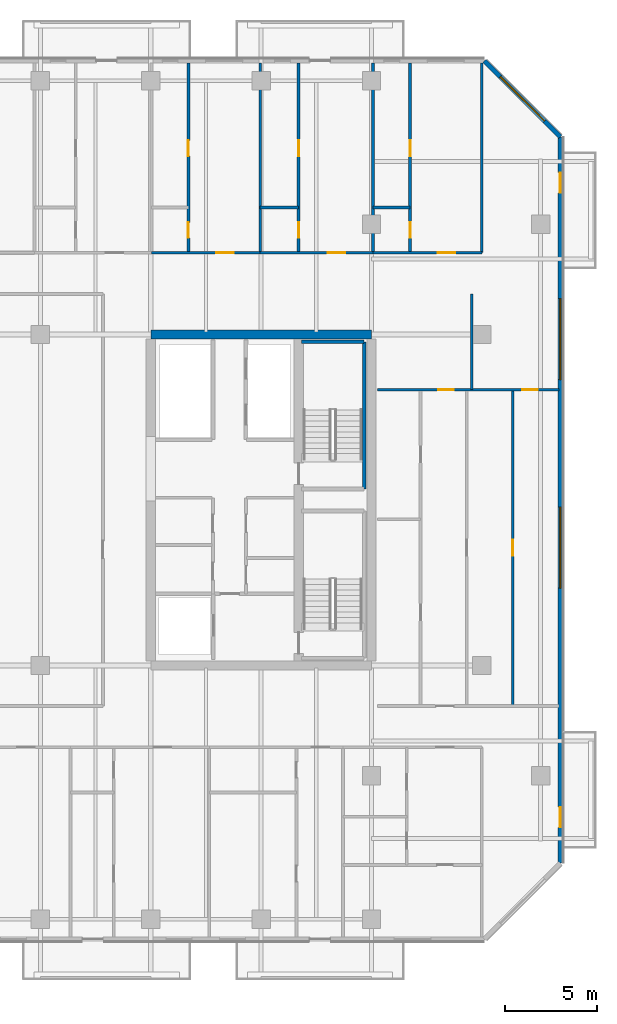
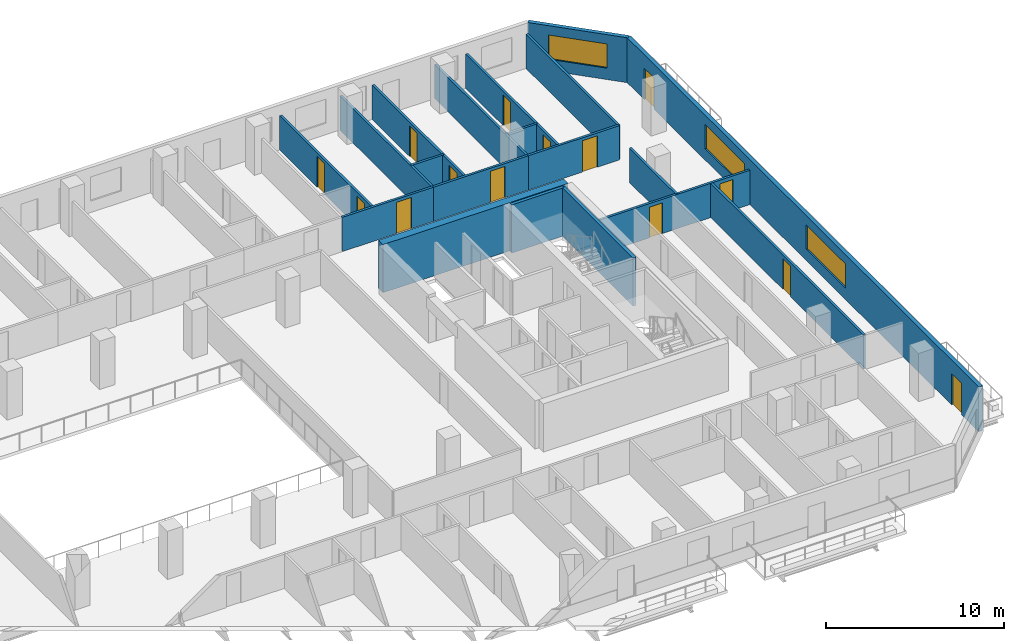
# One storey, part 16 of 23: 19 walls, 14 doors, 3 windows, 17 openings.
"""IFC4 building model written with IfcOpenShell, lengths in metres."""

import ifcopenshell
import ifcopenshell.guid

model = None  # the IFC model being written
_history = None  # IfcOwnerHistory: only IFC2X3 demands one
_inside = {}  # id of a spatial element -> (the spatial element, [elements in it])
_under = {}  # id of a project, library or spatial element -> (it, [spatial elements below it])
_declared = {}  # id of a project -> (the project, [libraries it declares])
_typed = {}  # id of a type object -> (the type object, [elements of that type])
_made_of = {}  # id of a material, layer set ... -> (it, [elements and type objects made of it])


def new_model(schema):
    """Start an empty IFC model of exactly this schema.

    Asked for "IFC4X3", IfcOpenShell would pick the latest addendum, in which some entities
    have other attributes; the version numbers below select the first issue.
    IFC2X3 requires an IfcOwnerHistory on every rooted entity: one is made here for all.
    """
    global model, _history
    if schema == "IFC4X3":
        model = ifcopenshell.file(schema_version=(4, 3, 0, 0))
    else:
        model = ifcopenshell.file(schema=schema)
    _inside.clear()
    _under.clear()
    _declared.clear()
    _typed.clear()
    _made_of.clear()
    _history = None
    if model.schema == "IFC2X3":
        org = make("IfcOrganization", Name="unknown")
        user = make(
            "IfcPersonAndOrganization",
            ThePerson=make("IfcPerson", FamilyName="unknown"),
            TheOrganization=org,
        )
        app = make(
            "IfcApplication",
            ApplicationDeveloper=org,
            Version="unknown",
            ApplicationFullName="unknown",
            ApplicationIdentifier="unknown",
        )
        _history = make(
            "IfcOwnerHistory",
            OwningUser=user,
            OwningApplication=app,
            ChangeAction="ADDED",
            CreationDate=0,
        )
    return model


def make(cls, **values):
    """One entity of the class cls with the attributes given. An attribute that is None is left unset."""
    return model.create_entity(
        cls, **{name: value for name, value in values.items() if value is not None}
    )


def rooted(cls, **values):
    """An entity with a GlobalId (a new one), such as an element, a storey or a relation."""
    return make(cls, GlobalId=ifcopenshell.guid.new(), OwnerHistory=_history, **values)


def si_unit(unit_type, name, prefix=None):
    """IfcSIUnit, for example si_unit("LENGTHUNIT", "METRE", prefix="MILLI")."""
    return make("IfcSIUnit", UnitType=unit_type, Prefix=prefix, Name=name)


def assignment(units):
    """IfcUnitAssignment: the units of a project."""
    return None if units is None else make("IfcUnitAssignment", Units=units)


def point(xyz):
    """IfcCartesianPoint."""
    return None if xyz is None else make("IfcCartesianPoint", Coordinates=xyz)


def direction(xyz):
    """IfcDirection."""
    return None if xyz is None else make("IfcDirection", DirectionRatios=xyz)


def frame(location, z_axis=None, x_axis=None):
    """IfcAxis2Placement3D, a coordinate frame: its origin and axes. An axis left out is left unset."""
    return make(
        "IfcAxis2Placement3D",
        Location=point(location),
        Axis=direction(z_axis),
        RefDirection=direction(x_axis),
    )


def frame_2d(location, x_axis=None):
    """IfcAxis2Placement2D, a coordinate frame in the plane: its origin and x axis."""
    return make(
        "IfcAxis2Placement2D", Location=point(location), RefDirection=direction(x_axis)
    )


def origin():
    """The frame at (0, 0, 0) with its axes left unset."""
    return frame((0.0, 0.0, 0.0))


def place(relative_to, where):
    """IfcLocalPlacement: puts the frame where relative to a parent placement (None: the world)."""
    return make(
        "IfcLocalPlacement", PlacementRelTo=relative_to, RelativePlacement=where
    )


def context(
    kind, dimensions, precision=None, world=None, true_north=None, identifier=None
):
    """IfcGeometricRepresentationContext, for example the 3D "Model" context."""
    return make(
        "IfcGeometricRepresentationContext",
        ContextIdentifier=identifier,
        ContextType=kind,
        CoordinateSpaceDimension=dimensions,
        Precision=precision,
        WorldCoordinateSystem=world,
        TrueNorth=true_north,
    )


def subcontext(parent, identifier, kind, view, scale=None):
    """IfcGeometricRepresentationSubContext, for example "Body" below "Model"."""
    return make(
        "IfcGeometricRepresentationSubContext",
        ContextIdentifier=identifier,
        ContextType=kind,
        ParentContext=parent,
        TargetScale=scale,
        TargetView=view,
    )


def project(units=None, contexts=None):
    """IfcProject with its units and contexts."""
    return rooted(
        "IfcProject",
        Name="project",
        RepresentationContexts=contexts,
        UnitsInContext=assignment(units),
    )


def spatial(cls, under=None, at=None, **own):
    """A site, building, storey or space (cls), placed at a placement, below another one or the project."""
    s = rooted(cls, ObjectPlacement=at, **own)
    if under is not None:
        _under.setdefault(under.id(), (under, []))[1].append(s)
    return s


def profile(cls, at=None, kind="AREA", **sizes):
    """A parametric profile (cls). Its sizes go by their IFC names, for example OverallWidth=200.0."""
    return make(cls, ProfileType=kind, Position=at, **sizes)


def rectangle(**sizes):
    """IfcRectangleProfileDef."""
    return profile("IfcRectangleProfileDef", **sizes)


def extrude(swept, where, along, depth):
    """IfcExtrudedAreaSolid: the profile swept, set in the frame where, extruded along a direction by depth."""
    return make(
        "IfcExtrudedAreaSolid",
        SweptArea=swept,
        Position=where,
        ExtrudedDirection=direction(along),
        Depth=depth,
    )


def shape(context_of_items, identifier, shape_type, items):
    """IfcShapeRepresentation: the items that make up one representation, for example the "Body"."""
    return make(
        "IfcShapeRepresentation",
        ContextOfItems=context_of_items,
        RepresentationIdentifier=identifier,
        RepresentationType=shape_type,
        Items=items,
    )


def material(Name=None, Category=None):
    """IfcMaterial."""
    return make("IfcMaterial", Name=Name, Category=Category)


def layer(
    of_material, thickness, ventilated=None, Name=None, Category=None, Priority=None
):
    """IfcMaterialLayer: one layer of a wall or slab, of a material (None: an air gap)."""
    return make(
        "IfcMaterialLayer",
        Material=of_material,
        LayerThickness=thickness,
        IsVentilated=ventilated,
        Name=Name,
        Category=Category,
        Priority=Priority,
    )


def layer_set(layers, Name=None):
    """IfcMaterialLayerSet."""
    return make("IfcMaterialLayerSet", MaterialLayers=layers, LayerSetName=Name)


def made_of(thing, what):
    """Note that an element or type object is made of a material, layer set ...; save() writes the relation."""
    if what is not None:
        _made_of.setdefault(what.id(), (what, []))[1].append(thing)
    return thing


def type_object(cls, material=None, **own):
    """A type object (cls), such as IfcWallType, which elements share."""
    return made_of(rooted(cls, **own), material)


def element(
    cls,
    number,
    at=None,
    inside=None,
    cuts=None,
    type_object=None,
    material=None,
    context=None,
    identifier="Body",
    shape_type=None,
    held_by="IfcProductDefinitionShape",
    body=None,
    shapes=None,
    **own,
):
    """One element of the class cls, such as IfcWall. Its Tag is "e" and its number.

    at: its placement. inside: the storey or other place that contains it. cuts: it is an
    opening in that element (IfcRelVoidsElement). A single representation is given by context,
    identifier, shape_type and body (its items); several are given by shapes. held_by: the class
    of the entity that holds the representations. save() writes the other relations.
    """
    e = rooted(cls, Tag="e%d" % number, ObjectPlacement=at, **own)
    if body is not None:
        shapes = [shape(context, identifier, shape_type, body)]
    if shapes is not None:
        e.Representation = make(held_by, Representations=shapes)
    if inside is not None:
        _inside.setdefault(inside.id(), (inside, []))[1].append(e)
    if cuts is not None:
        rooted(
            "IfcRelVoidsElement", RelatingBuildingElement=cuts, RelatedOpeningElement=e
        )
    if type_object is not None:
        _typed.setdefault(type_object.id(), (type_object, []))[1].append(e)
    return made_of(e, material)


def fill(opening, filler):
    """IfcRelFillsElement: the door or window that sits in an opening."""
    return rooted(
        "IfcRelFillsElement",
        RelatingOpeningElement=opening,
        RelatedBuildingElement=filler,
    )


def aggregate(whole, parts):
    """IfcRelAggregates: a whole, such as a stair, and the parts it consists of."""
    return rooted("IfcRelAggregates", RelatingObject=whole, RelatedObjects=parts)


def save(model, path):
    """Write the relations noted so far, then the file.

    IfcRelAggregates (storeys below a building ...), IfcRelContainedInSpatialStructure (elements
    in a storey), IfcRelDefinesByType, IfcRelAssociatesMaterial and IfcRelDeclares: one each for
    every whole, place, type object, material and project.
    """
    for whole, parts in _under.values():
        aggregate(whole, parts)
    for where, things in _inside.values():
        rooted(
            "IfcRelContainedInSpatialStructure",
            RelatedElements=things,
            RelatingStructure=where,
        )
    for kind, things in _typed.values():
        rooted("IfcRelDefinesByType", RelatedObjects=things, RelatingType=kind)
    for what, things in _made_of.values():
        rooted("IfcRelAssociatesMaterial", RelatedObjects=things, RelatingMaterial=what)
    for by, libraries in _declared.values():
        rooted("IfcRelDeclares", RelatingContext=by, RelatedDefinitions=libraries)
    model.write(path)


model = new_model("IFC4")

# Units and contexts
model_context = context("Model", 3, precision=1e-05, world=origin(), true_north=direction((0.0, 1.0)))
body_context = subcontext(model_context, "Body", "Model", "MODEL_VIEW")
ifc_project = project(units=[si_unit("LENGTHUNIT", "METRE"), si_unit("AREAUNIT", "SQUARE_METRE"), si_unit("VOLUMEUNIT", "CUBIC_METRE"), si_unit("PLANEANGLEUNIT", "RADIAN"), si_unit("MASSUNIT", "GRAM", prefix="KILO")], contexts=[model_context])

# Site, building, storey
site_placement = place(None, origin())
site = spatial("IfcSite", under=ifc_project, at=site_placement, CompositionType="ELEMENT")
building_placement = place(site_placement, origin())
building = spatial("IfcBuilding", under=site, at=building_placement, Name="Tanjung Sevakor Pilgrim Tower", CompositionType="ELEMENT")
storey_placement = place(building_placement, frame((0.0, 0.0, 101.969970703125)))
storey = spatial("IfcBuildingStorey", under=building, at=storey_placement, Name="L28", CompositionType="ELEMENT", Elevation=101.969970703125)

# Walls
ifc_material_1 = material(Name="Concrete C60/75", Category="concrete")
ifc_layer_1 = layer(ifc_material_1, 0.5)
ifc_layer_set_1 = layer_set([ifc_layer_1], Name="WALL-CW-500")
wall_type_1 = type_object("IfcWallType", Name="WALL-CW-500", PredefinedType="SHEAR", material=ifc_layer_set_1)
wall_1_placement = place(storey_placement, frame((90.0, 42.60009765625, 0.0), z_axis=(0.0, 0.0, 1.0), x_axis=(-1.0, 0.0, 0.0)))
element("IfcWall", 1, at=wall_1_placement, inside=storey, type_object=wall_type_1, Name="L28 E Core North Shear Wall", PredefinedType="SHEAR", context=body_context, shape_type="SweptSolid", body=[
    extrude(rectangle(XDim=12.0, YDim=0.5, at=frame_2d((6.0, 0.0))), origin(), (0.0, 0.0, 1.0), 3.300048828125),
])
ifc_material_2 = material(Name="Concrete C40/50", Category="concrete")
ifc_layer_2 = layer(ifc_material_2, 0.14990234375)
ifc_layer_set_2 = layer_set([ifc_layer_2], Name="WT-COMP-150")
wall_type_2 = type_object("IfcWallType", Name="WT-COMP-150", PredefinedType="SOLIDWALL", material=ifc_layer_set_2)
for number, where, z_axis, x_axis, name in (
    (2, (96.0, 47.050048828125, 0.0), (0.0, 0.0, 1.0), (0.0, 1.0, 0.0), "L28 Partition IW-L28-092"),
    (3, (83.9501953125, 47.050048828125, 0.0), (0.0, 0.0, 1.0), (0.0, 1.0, 0.0), "L28 Partition IW-L28-105"),
):
    element("IfcWall", number, at=place(storey_placement, frame(where, z_axis=z_axis, x_axis=x_axis)), inside=storey, type_object=wall_type_2, Name=name, PredefinedType="SOLIDWALL", context=body_context, shape_type="SweptSolid", body=[
        extrude(rectangle(XDim=10.300048828125, YDim=0.14990234375, at=frame_2d((5.14990234375, 0.0))), origin(), (0.0, 0.0, 1.0), 2.35009765625),
    ])

# Wall, opening, door
wall_2_placement = place(storey_placement, frame((78.038818359375, 47.050048828125, 0.0), z_axis=(0.0, 0.0, 1.0), x_axis=(1.0, 0.0, 0.0)))
wall_2 = element("IfcWall", 4, at=wall_2_placement, inside=storey, type_object=wall_type_2, Name="L28 Partition IW-L28-108", PredefinedType="SOLIDWALL", context=body_context, shape_type="SweptSolid", body=[
    extrude(rectangle(XDim=5.911376953125, YDim=0.14990234375, at=frame_2d((2.95556640625, 0.0))), origin(), (0.0, 0.0, 1.0), 2.35009765625),
])
opening_1_placement = place(wall_2_placement, frame((3.525634765625, 0.0, 0.0)))
opening_1 = element("IfcOpeningElement", 5, at=opening_1_placement, cuts=wall_2, Name="Opening ID-FD2", PredefinedType="OPENING", context=body_context, shape_type="SweptSolid", body=[
    extrude(rectangle(XDim=0.949951171875, YDim=2.14990234375, at=frame_2d((0.47509765625, 1.074951171875))), frame((0.0, 0.0849609375, 0.0), z_axis=(0.0, -1.0, 0.0), x_axis=(1.0, 0.0, 0.0)), (0.0, 0.0, 1.0), 0.169921875),
])
ifc_material_3 = material(Name="Fire-Rated Timber", Category="wood")
door_type_1 = type_object("IfcDoorType", Name="DT-FIRE-950", OperationType="NOTDEFINED", PredefinedType="DOOR", material=ifc_material_3)
door_1_placement = place(opening_1_placement, origin())
door_1 = element("IfcDoor", 6, at=door_1_placement, inside=storey, type_object=door_type_1, Name="Hostel Quad Entrance", OperationType="SINGLE_SWING_RIGHT", OverallHeight=2.14990234375, OverallWidth=0.949951171875, PredefinedType="DOOR", context=body_context, shape_type="SweptSolid", body=[
    extrude(rectangle(XDim=0.949951171875, YDim=2.14990234375, at=frame_2d((0.47509765625, 1.074951171875))), frame((0.0, 0.02490234375, 0.0), z_axis=(0.0, -1.0, 0.0), x_axis=(1.0, 0.0, 0.0)), (0.0, 0.0, 1.0), 0.050048828125),
])
fill(opening_1, door_1)

# Wall
wall_3_placement = place(storey_placement, frame((90.0888671875, 47.050048828125, 0.0), z_axis=(0.0, 0.0, 1.0), x_axis=(0.0, 1.0, 0.0)))
element("IfcWall", 7, at=wall_3_placement, inside=storey, type_object=wall_type_2, Name="L28 Partition IW-L28-109", PredefinedType="SOLIDWALL", context=body_context, shape_type="SweptSolid", body=[
    extrude(rectangle(XDim=10.300048828125, YDim=0.14990234375, at=frame_2d((5.14990234375, 0.0))), origin(), (0.0, 0.0, 1.0), 2.35009765625),
])

# Wall, opening, door
wall_4_placement = place(storey_placement, frame((83.9501953125, 47.050048828125, 0.0), z_axis=(0.0, 0.0, 1.0), x_axis=(1.0, 0.0, 0.0)))
wall_4 = element("IfcWall", 8, at=wall_4_placement, inside=storey, type_object=wall_type_2, Name="L28 Partition IW-L28-112", PredefinedType="SOLIDWALL", context=body_context, shape_type="SweptSolid", body=[
    extrude(rectangle(XDim=6.138671875, YDim=0.14990234375, at=frame_2d((3.0693359375, 0.0))), origin(), (0.0, 0.0, 1.0), 2.35009765625),
])
opening_2_placement = place(wall_4_placement, frame((3.677978515625, 0.0, 0.0)))
opening_2 = element("IfcOpeningElement", 9, at=opening_2_placement, cuts=wall_4, Name="Opening ID-FD2", PredefinedType="OPENING", context=body_context, shape_type="SweptSolid", body=[
    extrude(rectangle(XDim=0.949951171875, YDim=2.14990234375, at=frame_2d((0.47509765625, 1.074951171875))), frame((0.0, 0.0849609375, 0.0), z_axis=(0.0, -1.0, 0.0), x_axis=(1.0, 0.0, 0.0)), (0.0, 0.0, 1.0), 0.169921875),
])
door_2_placement = place(opening_2_placement, origin())
door_2 = element("IfcDoor", 10, at=door_2_placement, inside=storey, type_object=door_type_1, Name="Hostel Quad Entrance", OperationType="SINGLE_SWING_LEFT", OverallHeight=2.14990234375, OverallWidth=0.949951171875, PredefinedType="DOOR", context=body_context, shape_type="SweptSolid", body=[
    extrude(rectangle(XDim=0.949951171875, YDim=2.14990234375, at=frame_2d((0.47509765625, 1.074951171875))), frame((0.0, 0.02490234375, 0.0), z_axis=(0.0, -1.0, 0.0), x_axis=(1.0, 0.0, 0.0)), (0.0, 0.0, 1.0), 0.050048828125),
])
fill(opening_2, door_2)

wall_5_placement = place(storey_placement, frame((90.0888671875, 47.050048828125, 0.0), z_axis=(0.0, 0.0, 1.0), x_axis=(1.0, 0.0, 0.0)))
wall_5 = element("IfcWall", 11, at=wall_5_placement, inside=storey, type_object=wall_type_2, Name="L28 Partition IW-L28-115", PredefinedType="SOLIDWALL", context=body_context, shape_type="SweptSolid", body=[
    extrude(rectangle(XDim=5.9111328125, YDim=0.14990234375, at=frame_2d((2.95556640625, 0.0))), origin(), (0.0, 0.0, 1.0), 2.35009765625),
])
opening_3_placement = place(wall_5_placement, frame((3.525390625, 0.0, 0.0)))
opening_3 = element("IfcOpeningElement", 12, at=opening_3_placement, cuts=wall_5, Name="Opening ID-FD2", PredefinedType="OPENING", context=body_context, shape_type="SweptSolid", body=[
    extrude(rectangle(XDim=0.949951171875, YDim=2.14990234375, at=frame_2d((0.47509765625, 1.074951171875))), frame((0.0, 0.0849609375, 0.0), z_axis=(0.0, -1.0, 0.0), x_axis=(1.0, 0.0, 0.0)), (0.0, 0.0, 1.0), 0.169921875),
])
door_3_placement = place(opening_3_placement, origin())
door_3 = element("IfcDoor", 13, at=door_3_placement, inside=storey, type_object=door_type_1, Name="Hostel Quad Entrance", OperationType="SINGLE_SWING_RIGHT", OverallHeight=2.14990234375, OverallWidth=0.949951171875, PredefinedType="DOOR", context=body_context, shape_type="SweptSolid", body=[
    extrude(rectangle(XDim=0.949951171875, YDim=2.14990234375, at=frame_2d((0.47509765625, 1.074951171875))), frame((0.0, 0.02490234375, 0.0), z_axis=(0.0, -1.0, 0.0), x_axis=(1.0, 0.0, 0.0)), (0.0, 0.0, 1.0), 0.050048828125),
])
fill(opening_3, door_3)

# Wall, openings, doors, windows
ifc_material_4 = material(Name="Precast concrete C45/55", Category="concrete")
ifc_layer_3 = layer(ifc_material_4, 0.25)
ifc_layer_set_3 = layer_set([ifc_layer_3], Name="WT-EW-STN3")
wall_type_3 = type_object("IfcWallType", Name="WT-EW-STN3", PredefinedType="SOLIDWALL", material=ifc_layer_set_3)
wall_6_placement = place(storey_placement, frame((100.27490234375, 13.851806640625, 0.0), z_axis=(0.0, 0.0, 1.0), x_axis=(0.0, 1.0, 0.0)))
wall_6 = element("IfcWall", 14, at=wall_6_placement, inside=storey, type_object=wall_type_3, Name="L28 MAIN Exterior Wall 7", PredefinedType="SOLIDWALL", context=body_context, shape_type="SweptSolid", body=[
    extrude(rectangle(XDim=39.496337890625, YDim=0.25, at=frame_2d((19.748046875, 0.0))), origin(), (0.0, 0.0, 1.0), 3.080078125),
])
opening_4_placement = place(wall_6_placement, frame((1.9482421875, 0.0, 0.0)))
opening_4 = element("IfcOpeningElement", 15, at=opening_4_placement, cuts=wall_6, Name="Opening ED-BAL-1100", PredefinedType="OPENING", context=body_context, shape_type="SweptSolid", body=[
    extrude(rectangle(XDim=1.10009765625, YDim=2.14990234375, at=frame_2d((0.550048828125, 1.074951171875))), frame((0.0, 0.135009765625, 0.0), z_axis=(0.0, -1.0, 0.0), x_axis=(1.0, 0.0, 0.0)), (0.0, 0.0, 1.0), 0.27001953125),
])
opening_5_placement = place(wall_6_placement, frame((36.4482421875, 0.0, 0.0)))
opening_5 = element("IfcOpeningElement", 16, at=opening_5_placement, cuts=wall_6, Name="Opening ED-BAL-1100", PredefinedType="OPENING", context=body_context, shape_type="SweptSolid", body=[
    extrude(rectangle(XDim=1.10009765625, YDim=2.14990234375, at=frame_2d((0.550048828125, 1.074951171875))), frame((0.0, 0.135009765625, 0.0), z_axis=(0.0, -1.0, 0.0), x_axis=(1.0, 0.0, 0.0)), (0.0, 0.0, 1.0), 0.27001953125),
])
opening_6_placement = place(wall_6_placement, frame((14.958251953125, 0.0, 0.780029296875)))
opening_6 = element("IfcOpeningElement", 17, at=opening_6_placement, cuts=wall_6, Name="Opening WN-ENDW-1660", PredefinedType="OPENING", context=body_context, shape_type="SweptSolid", body=[
    extrude(rectangle(XDim=4.39990234375, YDim=1.659912109375, at=frame_2d((2.199951171875, 0.830078125))), frame((0.0, 0.135009765625, 0.0), z_axis=(0.0, -1.0, 0.0), x_axis=(1.0, 0.0, 0.0)), (0.0, 0.0, 1.0), 0.27001953125),
])
opening_7_placement = place(wall_6_placement, frame((26.298095703125, 0.0, 0.780029296875)))
opening_7 = element("IfcOpeningElement", 18, at=opening_7_placement, cuts=wall_6, Name="Opening WN-ENDW-1660", PredefinedType="OPENING", context=body_context, shape_type="SweptSolid", body=[
    extrude(rectangle(XDim=4.39990234375, YDim=1.659912109375, at=frame_2d((2.199951171875, 0.830078125))), frame((0.0, 0.135009765625, 0.0), z_axis=(0.0, -1.0, 0.0), x_axis=(1.0, 0.0, 0.0)), (0.0, 0.0, 1.0), 0.27001953125),
])
ifc_material_5 = material(Name="Anodised Aluminium and Laminated Glass", Category="aluminium")
door_type_2 = type_object("IfcDoorType", Name="DTYP-ED-BAL-1100", OperationType="NOTDEFINED", PredefinedType="DOOR", material=ifc_material_5)
door_4_placement = place(opening_4_placement, frame((1.10009765625, 0.0, 0.0), z_axis=(0.0, 0.0, 1.0), x_axis=(-1.0, 0.0, 0.0)))
door_4 = element("IfcDoor", 19, at=door_4_placement, inside=storey, type_object=door_type_2, Name="L28 East Loggia Door MAIN-E1", OperationType="SINGLE_SWING_RIGHT", OverallHeight=2.14990234375, OverallWidth=1.10009765625, PredefinedType="DOOR", context=body_context, shape_type="SweptSolid", body=[
    extrude(rectangle(XDim=1.10009765625, YDim=2.14990234375, at=frame_2d((0.550048828125, 1.074951171875))), frame((0.0, 0.02490234375, 0.0), z_axis=(0.0, -1.0, 0.0), x_axis=(1.0, 0.0, 0.0)), (0.0, 0.0, 1.0), 0.050048828125),
])
fill(opening_4, door_4)
door_5_placement = place(opening_5_placement, frame((1.10009765625, 0.0, 0.0), z_axis=(0.0, 0.0, 1.0), x_axis=(-1.0, 0.0, 0.0)))
door_5 = element("IfcDoor", 20, at=door_5_placement, inside=storey, type_object=door_type_2, Name="L28 East Loggia Door MAIN-E2", OperationType="SINGLE_SWING_LEFT", OverallHeight=2.14990234375, OverallWidth=1.10009765625, PredefinedType="DOOR", context=body_context, shape_type="SweptSolid", body=[
    extrude(rectangle(XDim=1.10009765625, YDim=2.14990234375, at=frame_2d((0.550048828125, 1.074951171875))), frame((0.0, 0.02490234375, 0.0), z_axis=(0.0, -1.0, 0.0), x_axis=(1.0, 0.0, 0.0)), (0.0, 0.0, 1.0), 0.050048828125),
])
fill(opening_5, door_5)
ifc_material_6 = material(Name="Thermally Broken Aluminium and Low-E Glass", Category="aluminium")
window_type_1 = type_object("IfcWindowType", Name="WTYP-WN-ENDW-1660", PartitioningType="DOUBLE_PANEL_VERTICAL", PredefinedType="WINDOW", material=ifc_material_6)
window_1_placement = place(opening_6_placement, origin())
window_1 = element("IfcWindow", 21, at=window_1_placement, inside=storey, type_object=window_type_1, Name="L28 Facade Window 01", OverallHeight=1.659912109375, OverallWidth=4.39990234375, PartitioningType="SINGLE_PANEL", PredefinedType="WINDOW", context=body_context, shape_type="SweptSolid", body=[
    extrude(rectangle(XDim=4.39990234375, YDim=1.659912109375, at=frame_2d((2.199951171875, 0.830078125))), frame((0.0, 0.030029296875, 0.0), z_axis=(0.0, -1.0, 0.0), x_axis=(1.0, 0.0, 0.0)), (0.0, 0.0, 1.0), 0.06005859375),
])
fill(opening_6, window_1)
window_2_placement = place(opening_7_placement, origin())
window_2 = element("IfcWindow", 22, at=window_2_placement, inside=storey, type_object=window_type_1, Name="L28 Facade Window 02", OverallHeight=1.659912109375, OverallWidth=4.39990234375, PartitioningType="SINGLE_PANEL", PredefinedType="WINDOW", context=body_context, shape_type="SweptSolid", body=[
    extrude(rectangle(XDim=4.39990234375, YDim=1.659912109375, at=frame_2d((2.199951171875, 0.830078125))), frame((0.0, 0.030029296875, 0.0), z_axis=(0.0, -1.0, 0.0), x_axis=(1.0, 0.0, 0.0)), (0.0, 0.0, 1.0), 0.06005859375),
])
fill(opening_7, window_2)

# Wall, opening, window
wall_7_placement = place(storey_placement, frame((100.27490234375, 53.34814453125, 0.0), z_axis=(0.0, 0.0, 1.0), x_axis=(-0.70708586489, 0.707127696864, 0.0)))
wall_7 = element("IfcWall", 23, at=wall_7_placement, inside=storey, type_object=wall_type_3, Name="L28 MAIN Sculpted Corner Wall 7", PredefinedType="SOLIDWALL", context=body_context, shape_type="SweptSolid", body=[
    extrude(rectangle(XDim=5.836181640625, YDim=0.25, at=frame_2d((2.91796875, 0.0))), origin(), (0.0, 0.0, 1.0), 3.080078125),
])
opening_8_placement = place(wall_7_placement, frame((1.218017578125, 0.0, 0.780029296875)))
opening_8 = element("IfcOpeningElement", 24, at=opening_8_placement, cuts=wall_7, Name="Opening WN-CHM-1660", PredefinedType="OPENING", context=body_context, shape_type="SweptSolid", body=[
    extrude(rectangle(XDim=3.39990234375, YDim=1.659912109375, at=frame_2d((1.699951171875, 0.830078125))), frame((0.0, 0.135009765625, 0.0), z_axis=(0.0, -1.0, 0.0), x_axis=(1.0, 0.0, 0.0)), (0.0, 0.0, 1.0), 0.27001953125),
])
ifc_material_7 = material(Name="Thermally Broken Aluminium and Low-E Glass", Category="aluminium")
window_type_2 = type_object("IfcWindowType", Name="WTYP-WN-CHM-1660", PartitioningType="DOUBLE_PANEL_VERTICAL", PredefinedType="WINDOW", material=ifc_material_7)
window_3_placement = place(opening_8_placement, origin())
window_3 = element("IfcWindow", 25, at=window_3_placement, inside=storey, type_object=window_type_2, Name="L28 Facade Window 01", OverallHeight=1.659912109375, OverallWidth=3.39990234375, PartitioningType="SINGLE_PANEL", PredefinedType="WINDOW", context=body_context, shape_type="SweptSolid", body=[
    extrude(rectangle(XDim=3.39990234375, YDim=1.659912109375, at=frame_2d((1.699951171875, 0.830078125))), frame((0.0, 0.030029296875, 0.0), z_axis=(0.0, -1.0, 0.0), x_axis=(1.0, 0.0, 0.0)), (0.0, 0.0, 1.0), 0.06005859375),
])
fill(opening_8, window_3)

# Walls
ifc_material_8 = material(Name="Concrete C40/50", Category="concrete")
ifc_layer_4 = layer(ifc_material_8, 0.199951171875)
ifc_layer_set_4 = layer_set([ifc_layer_4], Name="WT-FIRE-200")
wall_type_4 = type_object("IfcWallType", Name="WT-FIRE-200", PredefinedType="SOLIDWALL", material=ifc_layer_set_4)
wall_8_placement = place(storey_placement, frame((89.60009765625, 34.199951171875, 0.0), z_axis=(0.0, 0.0, 1.0), x_axis=(0.0, 1.0, 0.0)))
element("IfcWall", 26, at=wall_8_placement, inside=storey, type_object=wall_type_4, Name="L28 TS-E2 Shaft Wall 2", PredefinedType="SOLIDWALL", context=body_context, shape_type="SweptSolid", body=[
    extrude(rectangle(XDim=8.0, YDim=0.199951171875, at=frame_2d((4.0, 0.0))), origin(), (0.0, 0.0, 1.0), 3.300048828125),
])
wall_9_placement = place(storey_placement, frame((89.60009765625, 42.199951171875, 0.0), z_axis=(0.0, 0.0, 1.0), x_axis=(-1.0, 0.0, 0.0)))
element("IfcWall", 27, at=wall_9_placement, inside=storey, type_object=wall_type_4, Name="L28 TS-E2 Shaft Wall 3", PredefinedType="SOLIDWALL", context=body_context, shape_type="SweptSolid", body=[
    extrude(rectangle(XDim=3.400146484375, YDim=0.199951171875, at=frame_2d((1.7001953125, 0.0))), origin(), (0.0, 0.0, 1.0), 3.300048828125),
])

# Wall, opening, door
ifc_material_9 = material(Name="Gypsum Board Partition", Category="gypsum board")
ifc_layer_5 = layer(ifc_material_9, 0.14990234375)
ifc_layer_set_5 = layer_set([ifc_layer_5], Name="WT-PART-150")
wall_type_5 = type_object("IfcWallType", Name="WT-PART-150", PredefinedType="PARTITIONING", material=ifc_layer_set_5)
wall_10_placement = place(storey_placement, frame((97.683349609375, 22.39990234375, 0.0), z_axis=(0.0, 0.0, 1.0), x_axis=(0.0, 1.0, 0.0)))
wall_10 = element("IfcWall", 28, at=wall_10_placement, inside=storey, type_object=wall_type_5, Name="L28 Partition IW-L28-035", PredefinedType="PARTITIONING", context=body_context, shape_type="SweptSolid", body=[
    extrude(rectangle(XDim=17.2001953125, YDim=0.14990234375, at=frame_2d((8.60009765625, 0.0))), origin(), (0.0, 0.0, 1.0), 2.35009765625),
])
opening_9_placement = place(wall_10_placement, frame((8.175048828125, 0.0, 0.0)))
opening_9 = element("IfcOpeningElement", 29, at=opening_9_placement, cuts=wall_10, Name="Opening ID-WC1", PredefinedType="OPENING", context=body_context, shape_type="SweptSolid", body=[
    extrude(rectangle(XDim=0.85009765625, YDim=2.10009765625, at=frame_2d((0.425048828125, 1.050048828125))), frame((0.0, 0.0849609375, 0.0), z_axis=(0.0, -1.0, 0.0), x_axis=(1.0, 0.0, 0.0)), (0.0, 0.0, 1.0), 0.169921875),
])
ifc_material_10 = material(Name="Moisture-Resistant Timber", Category="wood")
door_type_3 = type_object("IfcDoorType", Name="DT-INT-850", OperationType="NOTDEFINED", PredefinedType="DOOR", material=ifc_material_10)
door_6_placement = place(opening_9_placement, origin())
door_6 = element("IfcDoor", 30, at=door_6_placement, inside=storey, type_object=door_type_3, Name="Suite Reading Room Door", OperationType="SINGLE_SWING_RIGHT", OverallHeight=2.10009765625, OverallWidth=0.85009765625, PredefinedType="DOOR", context=body_context, shape_type="SweptSolid", body=[
    extrude(rectangle(XDim=0.85009765625, YDim=2.10009765625, at=frame_2d((0.425048828125, 1.050048828125))), frame((0.0, 0.02490234375, 0.0), z_axis=(0.0, -1.0, 0.0), x_axis=(1.0, 0.0, 0.0)), (0.0, 0.0, 1.0), 0.050048828125),
])
fill(opening_9, door_6)

# Wall
wall_11_placement = place(storey_placement, frame((95.452392578125, 39.60009765625, 0.0), z_axis=(0.0, 0.0, 1.0), x_axis=(0.0, 1.0, 0.0)))
element("IfcWall", 31, at=wall_11_placement, inside=storey, type_object=wall_type_5, Name="L28 Partition IW-L28-038", PredefinedType="PARTITIONING", context=body_context, shape_type="SweptSolid", body=[
    extrude(rectangle(XDim=5.199951171875, YDim=0.14990234375, at=frame_2d((2.60009765625, 0.0))), origin(), (0.0, 0.0, 1.0), 2.35009765625),
])

# Wall, openings, doors
wall_12_placement = place(storey_placement, frame((90.320068359375, 39.60009765625, 0.0), z_axis=(0.0, 0.0, 1.0), x_axis=(1.0, 0.0, 0.0)))
wall_12 = element("IfcWall", 32, at=wall_12_placement, inside=storey, type_object=wall_type_5, Name="L28 Partition IW-L28-039", PredefinedType="PARTITIONING", context=body_context, shape_type="SweptSolid", body=[
    extrude(rectangle(XDim=9.869873046875, YDim=0.14990234375, at=frame_2d((4.93505859375, 0.0))), origin(), (0.0, 0.0, 1.0), 2.35009765625),
])
opening_10_placement = place(wall_12_placement, frame((3.316162109375, 0.0, 0.0)))
opening_10 = element("IfcOpeningElement", 33, at=opening_10_placement, cuts=wall_12, Name="Opening ID-WC1", PredefinedType="OPENING", context=body_context, shape_type="SweptSolid", body=[
    extrude(rectangle(XDim=0.85009765625, YDim=2.10009765625, at=frame_2d((0.425048828125, 1.050048828125))), frame((0.0, 0.0849609375, 0.0), z_axis=(0.0, -1.0, 0.0), x_axis=(1.0, 0.0, 0.0)), (0.0, 0.0, 1.0), 0.169921875),
])
opening_11_placement = place(wall_12_placement, frame((7.876220703125, 0.0, 0.0)))
opening_11 = element("IfcOpeningElement", 34, at=opening_11_placement, cuts=wall_12, Name="Opening ID-WC1", PredefinedType="OPENING", context=body_context, shape_type="SweptSolid", body=[
    extrude(rectangle(XDim=0.85009765625, YDim=2.10009765625, at=frame_2d((0.425048828125, 1.050048828125))), frame((0.0, 0.0849609375, 0.0), z_axis=(0.0, -1.0, 0.0), x_axis=(1.0, 0.0, 0.0)), (0.0, 0.0, 1.0), 0.169921875),
])
door_7_placement = place(opening_10_placement, origin())
door_7 = element("IfcDoor", 35, at=door_7_placement, inside=storey, type_object=door_type_3, Name="Suite Bedroom 1 Door", OperationType="SINGLE_SWING_LEFT", OverallHeight=2.10009765625, OverallWidth=0.85009765625, PredefinedType="DOOR", context=body_context, shape_type="SweptSolid", body=[
    extrude(rectangle(XDim=0.85009765625, YDim=2.10009765625, at=frame_2d((0.425048828125, 1.050048828125))), frame((0.0, 0.02490234375, 0.0), z_axis=(0.0, -1.0, 0.0), x_axis=(1.0, 0.0, 0.0)), (0.0, 0.0, 1.0), 0.050048828125),
])
fill(opening_10, door_7)
door_8_placement = place(opening_11_placement, origin())
door_8 = element("IfcDoor", 36, at=door_8_placement, inside=storey, type_object=door_type_3, Name="Suite Bedroom 2 Door", OperationType="SINGLE_SWING_RIGHT", OverallHeight=2.10009765625, OverallWidth=0.85009765625, PredefinedType="DOOR", context=body_context, shape_type="SweptSolid", body=[
    extrude(rectangle(XDim=0.85009765625, YDim=2.10009765625, at=frame_2d((0.425048828125, 1.050048828125))), frame((0.0, 0.02490234375, 0.0), z_axis=(0.0, -1.0, 0.0), x_axis=(1.0, 0.0, 0.0)), (0.0, 0.0, 1.0), 0.050048828125),
])
fill(opening_11, door_8)

wall_13_placement = place(storey_placement, frame((80.048583984375, 47.050048828125, 0.0), z_axis=(0.0, 0.0, 1.0), x_axis=(0.0, 1.0, 0.0)))
wall_13 = element("IfcWall", 37, at=wall_13_placement, inside=storey, type_object=wall_type_5, Name="L28 Partition IW-L28-107", PredefinedType="PARTITIONING", context=body_context, shape_type="SweptSolid", body=[
    extrude(rectangle(XDim=10.300048828125, YDim=0.14990234375, at=frame_2d((5.14990234375, 0.0))), origin(), (0.0, 0.0, 1.0), 2.35009765625),
])
opening_12_placement = place(wall_13_placement, frame((0.800048828125, 0.0, 0.0)))
opening_12 = element("IfcOpeningElement", 38, at=opening_12_placement, cuts=wall_13, Name="Opening ID-WC1", PredefinedType="OPENING", context=body_context, shape_type="SweptSolid", body=[
    extrude(rectangle(XDim=0.85009765625, YDim=2.10009765625, at=frame_2d((0.425048828125, 1.050048828125))), frame((0.0, 0.0849609375, 0.0), z_axis=(0.0, -1.0, 0.0), x_axis=(1.0, 0.0, 0.0)), (0.0, 0.0, 1.0), 0.169921875),
])
opening_13_placement = place(wall_13_placement, frame((5.25, 0.0, 0.0)))
opening_13 = element("IfcOpeningElement", 39, at=opening_13_placement, cuts=wall_13, Name="Opening ID-WC1", PredefinedType="OPENING", context=body_context, shape_type="SweptSolid", body=[
    extrude(rectangle(XDim=0.85009765625, YDim=2.10009765625, at=frame_2d((0.425048828125, 1.050048828125))), frame((0.0, 0.0849609375, 0.0), z_axis=(0.0, -1.0, 0.0), x_axis=(1.0, 0.0, 0.0)), (0.0, 0.0, 1.0), 0.169921875),
])
door_9_placement = place(opening_12_placement, origin())
door_9 = element("IfcDoor", 40, at=door_9_placement, inside=storey, type_object=door_type_3, Name="Bathroom Door", OperationType="SINGLE_SWING_RIGHT", OverallHeight=2.10009765625, OverallWidth=0.85009765625, PredefinedType="DOOR", context=body_context, shape_type="SweptSolid", body=[
    extrude(rectangle(XDim=0.85009765625, YDim=2.10009765625, at=frame_2d((0.425048828125, 1.050048828125))), frame((0.0, 0.02490234375, 0.0), z_axis=(0.0, -1.0, 0.0), x_axis=(1.0, 0.0, 0.0)), (0.0, 0.0, 1.0), 0.050048828125),
])
fill(opening_12, door_9)
door_10_placement = place(opening_13_placement, origin())
door_10 = element("IfcDoor", 41, at=door_10_placement, inside=storey, type_object=door_type_3, Name="Study Nook Door", OperationType="SINGLE_SWING_LEFT", OverallHeight=2.10009765625, OverallWidth=0.85009765625, PredefinedType="DOOR", context=body_context, shape_type="SweptSolid", body=[
    extrude(rectangle(XDim=0.85009765625, YDim=2.10009765625, at=frame_2d((0.425048828125, 1.050048828125))), frame((0.0, 0.02490234375, 0.0), z_axis=(0.0, -1.0, 0.0), x_axis=(1.0, 0.0, 0.0)), (0.0, 0.0, 1.0), 0.050048828125),
])
fill(opening_13, door_10)

# Wall
wall_14_placement = place(storey_placement, frame((83.9501953125, 49.5, 0.0), z_axis=(0.0, 0.0, 1.0), x_axis=(1.0, 0.0, 0.0)))
element("IfcWall", 42, at=wall_14_placement, inside=storey, type_object=wall_type_5, Name="L28 Partition IW-L28-110", PredefinedType="PARTITIONING", context=body_context, shape_type="SweptSolid", body=[
    extrude(rectangle(XDim=2.087158203125, YDim=0.14990234375, at=frame_2d((1.04345703125, 0.0))), origin(), (0.0, 0.0, 1.0), 2.35009765625),
])

# Wall, openings, doors
wall_15_placement = place(storey_placement, frame((86.037353515625, 47.050048828125, 0.0), z_axis=(0.0, 0.0, 1.0), x_axis=(0.0, 1.0, 0.0)))
wall_15 = element("IfcWall", 43, at=wall_15_placement, inside=storey, type_object=wall_type_5, Name="L28 Partition IW-L28-111", PredefinedType="PARTITIONING", context=body_context, shape_type="SweptSolid", body=[
    extrude(rectangle(XDim=10.300048828125, YDim=0.14990234375, at=frame_2d((5.14990234375, 0.0))), origin(), (0.0, 0.0, 1.0), 2.35009765625),
])
opening_14_placement = place(wall_15_placement, frame((0.800048828125, 0.0, 0.0)))
opening_14 = element("IfcOpeningElement", 44, at=opening_14_placement, cuts=wall_15, Name="Opening ID-WC1", PredefinedType="OPENING", context=body_context, shape_type="SweptSolid", body=[
    extrude(rectangle(XDim=0.85009765625, YDim=2.10009765625, at=frame_2d((0.425048828125, 1.050048828125))), frame((0.0, 0.0849609375, 0.0), z_axis=(0.0, -1.0, 0.0), x_axis=(1.0, 0.0, 0.0)), (0.0, 0.0, 1.0), 0.169921875),
])
opening_15_placement = place(wall_15_placement, frame((5.25, 0.0, 0.0)))
opening_15 = element("IfcOpeningElement", 45, at=opening_15_placement, cuts=wall_15, Name="Opening ID-WC1", PredefinedType="OPENING", context=body_context, shape_type="SweptSolid", body=[
    extrude(rectangle(XDim=0.85009765625, YDim=2.10009765625, at=frame_2d((0.425048828125, 1.050048828125))), frame((0.0, 0.0849609375, 0.0), z_axis=(0.0, -1.0, 0.0), x_axis=(1.0, 0.0, 0.0)), (0.0, 0.0, 1.0), 0.169921875),
])
door_11_placement = place(opening_14_placement, origin())
door_11 = element("IfcDoor", 46, at=door_11_placement, inside=storey, type_object=door_type_3, Name="Bathroom Door", OperationType="SINGLE_SWING_LEFT", OverallHeight=2.10009765625, OverallWidth=0.85009765625, PredefinedType="DOOR", context=body_context, shape_type="SweptSolid", body=[
    extrude(rectangle(XDim=0.85009765625, YDim=2.10009765625, at=frame_2d((0.425048828125, 1.050048828125))), frame((0.0, 0.02490234375, 0.0), z_axis=(0.0, -1.0, 0.0), x_axis=(1.0, 0.0, 0.0)), (0.0, 0.0, 1.0), 0.050048828125),
])
fill(opening_14, door_11)
door_12_placement = place(opening_15_placement, origin())
door_12 = element("IfcDoor", 47, at=door_12_placement, inside=storey, type_object=door_type_3, Name="Study Nook Door", OperationType="SINGLE_SWING_RIGHT", OverallHeight=2.10009765625, OverallWidth=0.85009765625, PredefinedType="DOOR", context=body_context, shape_type="SweptSolid", body=[
    extrude(rectangle(XDim=0.85009765625, YDim=2.10009765625, at=frame_2d((0.425048828125, 1.050048828125))), frame((0.0, 0.02490234375, 0.0), z_axis=(0.0, -1.0, 0.0), x_axis=(1.0, 0.0, 0.0)), (0.0, 0.0, 1.0), 0.050048828125),
])
fill(opening_15, door_12)

# Wall
wall_16_placement = place(storey_placement, frame((90.0888671875, 49.5, 0.0), z_axis=(0.0, 0.0, 1.0), x_axis=(1.0, 0.0, 0.0)))
element("IfcWall", 48, at=wall_16_placement, inside=storey, type_object=wall_type_5, Name="L28 Partition IW-L28-113", PredefinedType="PARTITIONING", context=body_context, shape_type="SweptSolid", body=[
    extrude(rectangle(XDim=2.009765625, YDim=0.14990234375, at=frame_2d((1.0048828125, 0.0))), origin(), (0.0, 0.0, 1.0), 2.35009765625),
])

# Wall, openings, doors
wall_17_placement = place(storey_placement, frame((92.0986328125, 47.050048828125, 0.0), z_axis=(0.0, 0.0, 1.0), x_axis=(0.0, 1.0, 0.0)))
wall_17 = element("IfcWall", 49, at=wall_17_placement, inside=storey, type_object=wall_type_5, Name="L28 Partition IW-L28-114", PredefinedType="PARTITIONING", context=body_context, shape_type="SweptSolid", body=[
    extrude(rectangle(XDim=10.300048828125, YDim=0.14990234375, at=frame_2d((5.14990234375, 0.0))), origin(), (0.0, 0.0, 1.0), 2.35009765625),
])
opening_16_placement = place(wall_17_placement, frame((0.800048828125, 0.0, 0.0)))
opening_16 = element("IfcOpeningElement", 50, at=opening_16_placement, cuts=wall_17, Name="Opening ID-WC1", PredefinedType="OPENING", context=body_context, shape_type="SweptSolid", body=[
    extrude(rectangle(XDim=0.85009765625, YDim=2.10009765625, at=frame_2d((0.425048828125, 1.050048828125))), frame((0.0, 0.0849609375, 0.0), z_axis=(0.0, -1.0, 0.0), x_axis=(1.0, 0.0, 0.0)), (0.0, 0.0, 1.0), 0.169921875),
])
opening_17_placement = place(wall_17_placement, frame((5.25, 0.0, 0.0)))
opening_17 = element("IfcOpeningElement", 51, at=opening_17_placement, cuts=wall_17, Name="Opening ID-WC1", PredefinedType="OPENING", context=body_context, shape_type="SweptSolid", body=[
    extrude(rectangle(XDim=0.85009765625, YDim=2.10009765625, at=frame_2d((0.425048828125, 1.050048828125))), frame((0.0, 0.0849609375, 0.0), z_axis=(0.0, -1.0, 0.0), x_axis=(1.0, 0.0, 0.0)), (0.0, 0.0, 1.0), 0.169921875),
])
door_13_placement = place(opening_16_placement, origin())
door_13 = element("IfcDoor", 52, at=door_13_placement, inside=storey, type_object=door_type_3, Name="Bathroom Door", OperationType="SINGLE_SWING_RIGHT", OverallHeight=2.10009765625, OverallWidth=0.85009765625, PredefinedType="DOOR", context=body_context, shape_type="SweptSolid", body=[
    extrude(rectangle(XDim=0.85009765625, YDim=2.10009765625, at=frame_2d((0.425048828125, 1.050048828125))), frame((0.0, 0.02490234375, 0.0), z_axis=(0.0, -1.0, 0.0), x_axis=(1.0, 0.0, 0.0)), (0.0, 0.0, 1.0), 0.050048828125),
])
fill(opening_16, door_13)
door_14_placement = place(opening_17_placement, origin())
door_14 = element("IfcDoor", 53, at=door_14_placement, inside=storey, type_object=door_type_3, Name="Study Nook Door", OperationType="SINGLE_SWING_LEFT", OverallHeight=2.10009765625, OverallWidth=0.85009765625, PredefinedType="DOOR", context=body_context, shape_type="SweptSolid", body=[
    extrude(rectangle(XDim=0.85009765625, YDim=2.10009765625, at=frame_2d((0.425048828125, 1.050048828125))), frame((0.0, 0.02490234375, 0.0), z_axis=(0.0, -1.0, 0.0), x_axis=(1.0, 0.0, 0.0)), (0.0, 0.0, 1.0), 0.050048828125),
])
fill(opening_17, door_14)

save(model, "model.ifc")
